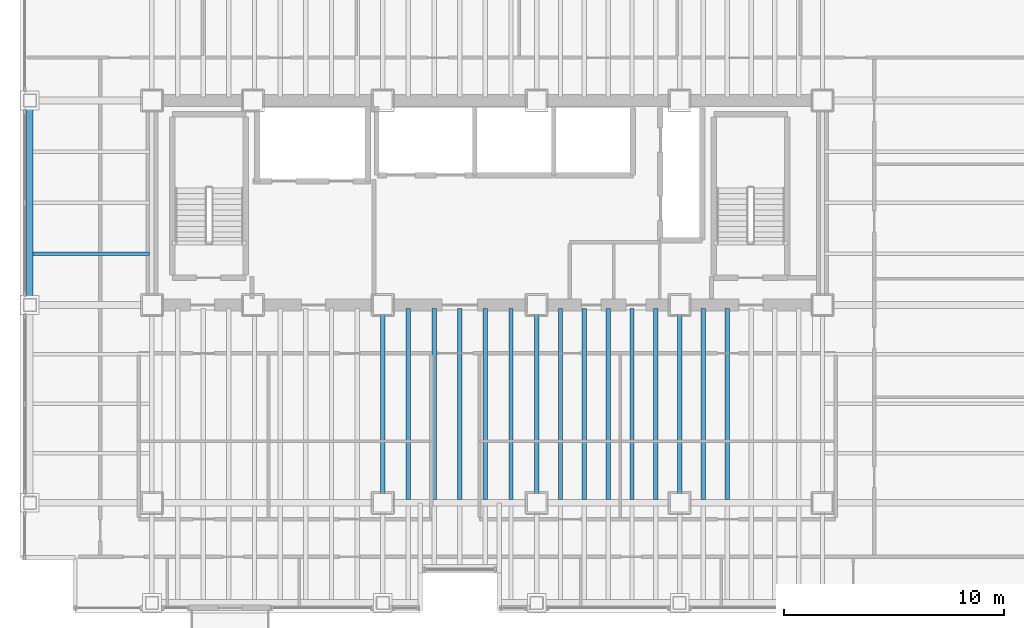
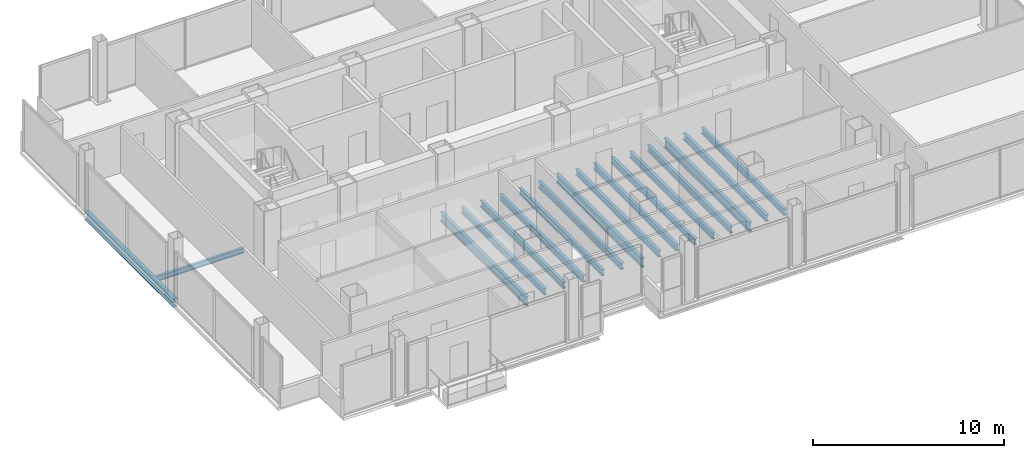
# One storey, part 5 of 20: 17 beams.
"""IFC4 building model written with IfcOpenShell, lengths in metres."""

import ifcopenshell
import ifcopenshell.guid

model = None  # the IFC model being written
_history = None  # IfcOwnerHistory: only IFC2X3 demands one
_inside = {}  # id of a spatial element -> (the spatial element, [elements in it])
_under = {}  # id of a project, library or spatial element -> (it, [spatial elements below it])
_declared = {}  # id of a project -> (the project, [libraries it declares])
_typed = {}  # id of a type object -> (the type object, [elements of that type])
_made_of = {}  # id of a material, layer set ... -> (it, [elements and type objects made of it])


def new_model(schema):
    """Start an empty IFC model of exactly this schema.

    Asked for "IFC4X3", IfcOpenShell would pick the latest addendum, in which some entities
    have other attributes; the version numbers below select the first issue.
    IFC2X3 requires an IfcOwnerHistory on every rooted entity: one is made here for all.
    """
    global model, _history
    if schema == "IFC4X3":
        model = ifcopenshell.file(schema_version=(4, 3, 0, 0))
    else:
        model = ifcopenshell.file(schema=schema)
    _inside.clear()
    _under.clear()
    _declared.clear()
    _typed.clear()
    _made_of.clear()
    _history = None
    if model.schema == "IFC2X3":
        org = make("IfcOrganization", Name="unknown")
        user = make(
            "IfcPersonAndOrganization",
            ThePerson=make("IfcPerson", FamilyName="unknown"),
            TheOrganization=org,
        )
        app = make(
            "IfcApplication",
            ApplicationDeveloper=org,
            Version="unknown",
            ApplicationFullName="unknown",
            ApplicationIdentifier="unknown",
        )
        _history = make(
            "IfcOwnerHistory",
            OwningUser=user,
            OwningApplication=app,
            ChangeAction="ADDED",
            CreationDate=0,
        )
    return model


def make(cls, **values):
    """One entity of the class cls with the attributes given. An attribute that is None is left unset."""
    return model.create_entity(
        cls, **{name: value for name, value in values.items() if value is not None}
    )


def rooted(cls, **values):
    """An entity with a GlobalId (a new one), such as an element, a storey or a relation."""
    return make(cls, GlobalId=ifcopenshell.guid.new(), OwnerHistory=_history, **values)


def si_unit(unit_type, name, prefix=None):
    """IfcSIUnit, for example si_unit("LENGTHUNIT", "METRE", prefix="MILLI")."""
    return make("IfcSIUnit", UnitType=unit_type, Prefix=prefix, Name=name)


def assignment(units):
    """IfcUnitAssignment: the units of a project."""
    return None if units is None else make("IfcUnitAssignment", Units=units)


def point(xyz):
    """IfcCartesianPoint."""
    return None if xyz is None else make("IfcCartesianPoint", Coordinates=xyz)


def direction(xyz):
    """IfcDirection."""
    return None if xyz is None else make("IfcDirection", DirectionRatios=xyz)


def frame(location, z_axis=None, x_axis=None):
    """IfcAxis2Placement3D, a coordinate frame: its origin and axes. An axis left out is left unset."""
    return make(
        "IfcAxis2Placement3D",
        Location=point(location),
        Axis=direction(z_axis),
        RefDirection=direction(x_axis),
    )


def frame_2d(location, x_axis=None):
    """IfcAxis2Placement2D, a coordinate frame in the plane: its origin and x axis."""
    return make(
        "IfcAxis2Placement2D", Location=point(location), RefDirection=direction(x_axis)
    )


def origin():
    """The frame at (0, 0, 0) with its axes left unset."""
    return frame((0.0, 0.0, 0.0))


def origin_2d():
    """The frame at (0, 0) in the plane with its x axis left unset."""
    return frame_2d((0.0, 0.0))


def place(relative_to, where):
    """IfcLocalPlacement: puts the frame where relative to a parent placement (None: the world)."""
    return make(
        "IfcLocalPlacement", PlacementRelTo=relative_to, RelativePlacement=where
    )


def context(
    kind, dimensions, precision=None, world=None, true_north=None, identifier=None
):
    """IfcGeometricRepresentationContext, for example the 3D "Model" context."""
    return make(
        "IfcGeometricRepresentationContext",
        ContextIdentifier=identifier,
        ContextType=kind,
        CoordinateSpaceDimension=dimensions,
        Precision=precision,
        WorldCoordinateSystem=world,
        TrueNorth=true_north,
    )


def subcontext(parent, identifier, kind, view, scale=None):
    """IfcGeometricRepresentationSubContext, for example "Body" below "Model"."""
    return make(
        "IfcGeometricRepresentationSubContext",
        ContextIdentifier=identifier,
        ContextType=kind,
        ParentContext=parent,
        TargetScale=scale,
        TargetView=view,
    )


def project(units=None, contexts=None):
    """IfcProject with its units and contexts."""
    return rooted(
        "IfcProject",
        Name="project",
        RepresentationContexts=contexts,
        UnitsInContext=assignment(units),
    )


def spatial(cls, under=None, at=None, **own):
    """A site, building, storey or space (cls), placed at a placement, below another one or the project."""
    s = rooted(cls, ObjectPlacement=at, **own)
    if under is not None:
        _under.setdefault(under.id(), (under, []))[1].append(s)
    return s


def profile(cls, at=None, kind="AREA", **sizes):
    """A parametric profile (cls). Its sizes go by their IFC names, for example OverallWidth=200.0."""
    return make(cls, ProfileType=kind, Position=at, **sizes)


def i_section(**sizes):
    """IfcIShapeProfileDef."""
    return profile("IfcIShapeProfileDef", **sizes)


def extrude(swept, where, along, depth):
    """IfcExtrudedAreaSolid: the profile swept, set in the frame where, extruded along a direction by depth."""
    return make(
        "IfcExtrudedAreaSolid",
        SweptArea=swept,
        Position=where,
        ExtrudedDirection=direction(along),
        Depth=depth,
    )


def shape(context_of_items, identifier, shape_type, items):
    """IfcShapeRepresentation: the items that make up one representation, for example the "Body"."""
    return make(
        "IfcShapeRepresentation",
        ContextOfItems=context_of_items,
        RepresentationIdentifier=identifier,
        RepresentationType=shape_type,
        Items=items,
    )


def material(Name=None, Category=None):
    """IfcMaterial."""
    return make("IfcMaterial", Name=Name, Category=Category)


def material_profile(
    of_material, cross_section, Name=None, Category=None, Priority=None
):
    """IfcMaterialProfile: a cross section and its material."""
    return make(
        "IfcMaterialProfile",
        Name=Name,
        Material=of_material,
        Profile=cross_section,
        Priority=Priority,
        Category=Category,
    )


def profile_set(profiles, Name=None, composite=None):
    """IfcMaterialProfileSet."""
    return make(
        "IfcMaterialProfileSet",
        Name=Name,
        MaterialProfiles=profiles,
        CompositeProfile=composite,
    )


def made_of(thing, what):
    """Note that an element or type object is made of a material, layer set ...; save() writes the relation."""
    if what is not None:
        _made_of.setdefault(what.id(), (what, []))[1].append(thing)
    return thing


def type_object(cls, material=None, **own):
    """A type object (cls), such as IfcWallType, which elements share."""
    return made_of(rooted(cls, **own), material)


def element(
    cls,
    number,
    at=None,
    inside=None,
    cuts=None,
    type_object=None,
    material=None,
    context=None,
    identifier="Body",
    shape_type=None,
    held_by="IfcProductDefinitionShape",
    body=None,
    shapes=None,
    **own,
):
    """One element of the class cls, such as IfcWall. Its Tag is "e" and its number.

    at: its placement. inside: the storey or other place that contains it. cuts: it is an
    opening in that element (IfcRelVoidsElement). A single representation is given by context,
    identifier, shape_type and body (its items); several are given by shapes. held_by: the class
    of the entity that holds the representations. save() writes the other relations.
    """
    e = rooted(cls, Tag="e%d" % number, ObjectPlacement=at, **own)
    if body is not None:
        shapes = [shape(context, identifier, shape_type, body)]
    if shapes is not None:
        e.Representation = make(held_by, Representations=shapes)
    if inside is not None:
        _inside.setdefault(inside.id(), (inside, []))[1].append(e)
    if cuts is not None:
        rooted(
            "IfcRelVoidsElement", RelatingBuildingElement=cuts, RelatedOpeningElement=e
        )
    if type_object is not None:
        _typed.setdefault(type_object.id(), (type_object, []))[1].append(e)
    return made_of(e, material)


def aggregate(whole, parts):
    """IfcRelAggregates: a whole, such as a stair, and the parts it consists of."""
    return rooted("IfcRelAggregates", RelatingObject=whole, RelatedObjects=parts)


def save(model, path):
    """Write the relations noted so far, then the file.

    IfcRelAggregates (storeys below a building ...), IfcRelContainedInSpatialStructure (elements
    in a storey), IfcRelDefinesByType, IfcRelAssociatesMaterial and IfcRelDeclares: one each for
    every whole, place, type object, material and project.
    """
    for whole, parts in _under.values():
        aggregate(whole, parts)
    for where, things in _inside.values():
        rooted(
            "IfcRelContainedInSpatialStructure",
            RelatedElements=things,
            RelatingStructure=where,
        )
    for kind, things in _typed.values():
        rooted("IfcRelDefinesByType", RelatedObjects=things, RelatingType=kind)
    for what, things in _made_of.values():
        rooted("IfcRelAssociatesMaterial", RelatedObjects=things, RelatingMaterial=what)
    for by, libraries in _declared.values():
        rooted("IfcRelDeclares", RelatingContext=by, RelatedDefinitions=libraries)
    model.write(path)


model = new_model("IFC4")

# Units and contexts
model_context = context("Model", 3, precision=1e-05, world=origin(), true_north=direction((0.0, 1.0)))
body_context = subcontext(model_context, "Body", "Model", "MODEL_VIEW")
ifc_project = project(units=[si_unit("LENGTHUNIT", "METRE"), si_unit("AREAUNIT", "SQUARE_METRE"), si_unit("VOLUMEUNIT", "CUBIC_METRE"), si_unit("PLANEANGLEUNIT", "RADIAN"), si_unit("MASSUNIT", "GRAM", prefix="KILO")], contexts=[model_context])

# Site, building, storey
site_placement = place(None, origin())
site = spatial("IfcSite", under=ifc_project, at=site_placement, CompositionType="ELEMENT")
building_placement = place(site_placement, origin())
building = spatial("IfcBuilding", under=site, at=building_placement, Name="Noeulbin Bourse Tower", CompositionType="ELEMENT")
storey_placement = place(building_placement, frame((0.0, 0.0, 65.5)))
storey = spatial("IfcBuildingStorey", under=building, at=storey_placement, Name="L16", CompositionType="ELEMENT", Elevation=65.5)

# Beams
ifc_material = material(Name="Steel S355", Category="steel")
ifc_material_profile_1 = material_profile(ifc_material, i_section(OverallWidth=0.199951171875, OverallDepth=0.60009765625, WebThickness=0.010986328125, FlangeThickness=0.01708984375, FilletRadius=0.02197265625, at=origin_2d()), Name="H-600x200x11x17", Category="LoadBearing")
ifc_profile_set_1 = profile_set([ifc_material_profile_1], Name="Steel S355")
beam_type_1 = type_object("IfcBeamType", Name="BM-GRD-600", PredefinedType="USERDEFINED", material=ifc_profile_set_1)
for number, where, z_axis, x_axis, name in (
    (1, (24.0, 20.0, -0.47998046875), (0.0, 1.0, 0.0), (-1.0, 0.0, 0.0), "Tower Primary Girder NS L16-2.2"),
    (2, (31.0, 20.0, -0.47998046875), (0.0, 1.0, 0.0), (-1.0, 0.0, 0.0), "Tower Primary Girder NS L16-3.2"),
    (3, (37.5, 20.0, -0.47998046875), (0.0, 1.0, 0.0), (-1.0, 0.0, 0.0), "Tower Primary Girder NS L16-4.2"),
):
    element("IfcBeam", number, at=place(storey_placement, frame(where, z_axis=z_axis, x_axis=x_axis)), inside=storey, type_object=beam_type_1, Name=name, ObjectType="GIRDER", PredefinedType="USERDEFINED", context=body_context, shape_type="SweptSolid", body=[
        extrude(i_section(OverallWidth=0.199951171875, OverallDepth=0.60009765625, WebThickness=0.010986328125, FlangeThickness=0.01708984375, FilletRadius=0.02197265625, at=origin_2d()), origin(), (0.0, 0.0, 1.0), 9.0),
    ])
ifc_material_profile_2 = material_profile(ifc_material, i_section(OverallWidth=0.159912109375, OverallDepth=0.320068359375, WebThickness=0.006591796875, FlangeThickness=0.010009765625, FilletRadius=0.012939453125, at=origin_2d()), Name="H-320x160x6.5x10", Category="LoadBearing")
ifc_profile_set_2 = profile_set([ifc_material_profile_2], Name="Steel S355")
beam_type_2 = type_object("IfcBeamType", Name="BM-JST-320", PredefinedType="JOIST", material=ifc_profile_set_2)
beam_1_placement = place(storey_placement, frame((8.10009765625, 31.324951171875, -0.340087890625), z_axis=(1.0, 0.0, 0.0), x_axis=(0.0, 1.0, 0.0)))
element("IfcBeam", 4, at=beam_1_placement, inside=storey, type_object=beam_type_2, Name="Wing Composite Joist L16-W73", PredefinedType="JOIST", context=body_context, shape_type="SweptSolid", body=[
    extrude(i_section(OverallWidth=0.159912109375, OverallDepth=0.320068359375, WebThickness=0.006591796875, FlangeThickness=0.010009765625, FilletRadius=0.012939453125, at=origin_2d()), origin(), (0.0, 0.0, 1.0), 5.2998046875),
])
ifc_material_profile_3 = material_profile(ifc_material, i_section(OverallWidth=0.199951171875, OverallDepth=0.39990234375, WebThickness=0.008056640625, FlangeThickness=0.012939453125, FilletRadius=0.01611328125, at=origin_2d()), Name="H-400x200x8x13", Category="LoadBearing")
ifc_profile_set_3 = profile_set([ifc_material_profile_3], Name="Steel S355")
beam_type_3 = type_object("IfcBeamType", Name="BM-SEC-400", PredefinedType="BEAM", material=ifc_profile_set_3)
for number, where, z_axis, x_axis, name in (
    (5, (25.166748046875, 20.14990234375, -0.3798828125), (0.0, 1.0, 0.0), (-1.0, 0.0, 0.0), "Tower Composite Joist L16-26"),
    (6, (26.333251953125, 20.14990234375, -0.3798828125), (0.0, 1.0, 0.0), (-1.0, 0.0, 0.0), "Tower Composite Joist L16-29"),
    (7, (27.5, 20.14990234375, -0.3798828125), (0.0, 1.0, 0.0), (-1.0, 0.0, 0.0), "Tower Composite Joist L16-32"),
    (8, (28.666748046875, 20.14990234375, -0.3798828125), (0.0, 1.0, 0.0), (-1.0, 0.0, 0.0), "Tower Composite Joist L16-35"),
    (9, (29.833251953125, 20.14990234375, -0.3798828125), (0.0, 1.0, 0.0), (-1.0, 0.0, 0.0), "Tower Composite Joist L16-38"),
    (10, (32.083251953125, 20.14990234375, -0.3798828125), (0.0, 1.0, 0.0), (-1.0, 0.0, 0.0), "Tower Composite Joist L16-41"),
    (11, (33.166748046875, 20.14990234375, -0.3798828125), (0.0, 1.0, 0.0), (-1.0, 0.0, 0.0), "Tower Composite Joist L16-44"),
    (12, (34.25, 20.14990234375, -0.3798828125), (0.0, 1.0, 0.0), (-1.0, 0.0, 0.0), "Tower Composite Joist L16-47"),
    (13, (35.333251953125, 20.14990234375, -0.3798828125), (0.0, 1.0, 0.0), (-1.0, 0.0, 0.0), "Tower Composite Joist L16-50"),
    (14, (36.416748046875, 20.14990234375, -0.3798828125), (0.0, 1.0, 0.0), (-1.0, 0.0, 0.0), "Tower Composite Joist L16-53"),
    (15, (38.583251953125, 20.14990234375, -0.3798828125), (0.0, 1.0, 0.0), (-1.0, 0.0, 0.0), "Tower Composite Joist L16-56"),
    (16, (39.666748046875, 20.14990234375, -0.3798828125), (0.0, 1.0, 0.0), (-1.0, 0.0, 0.0), "Tower Composite Joist L16-59"),
):
    element("IfcBeam", number, at=place(storey_placement, frame(where, z_axis=z_axis, x_axis=x_axis)), inside=storey, type_object=beam_type_3, Name=name, PredefinedType="BEAM", context=body_context, shape_type="SweptSolid", body=[
        extrude(i_section(OverallWidth=0.199951171875, OverallDepth=0.39990234375, WebThickness=0.008056640625, FlangeThickness=0.012939453125, FilletRadius=0.01611328125, at=origin_2d()), origin(), (0.0, 0.0, 1.0), 8.7001953125),
    ])
ifc_material_profile_4 = material_profile(ifc_material, i_section(OverallWidth=0.300048828125, OverallDepth=0.488037109375, WebThickness=0.010986328125, FlangeThickness=0.01806640625, FilletRadius=0.02197265625, at=origin_2d()), Name="H-488x300x11x18", Category="LoadBearing")
ifc_profile_set_4 = profile_set([ifc_material_profile_4], Name="Steel S355")
beam_type_4 = type_object("IfcBeamType", Name="BM-SPN-488", PredefinedType="SPANDREL", material=ifc_profile_set_4)
beam_2_placement = place(storey_placement, frame((7.949951171875, 29.0, -0.424072265625), z_axis=(0.0, 1.0, 0.0), x_axis=(-1.0, 0.0, 0.0)))
element("IfcBeam", 17, at=beam_2_placement, inside=storey, type_object=beam_type_4, Name="West Spandrel L16-2", PredefinedType="SPANDREL", context=body_context, shape_type="SweptSolid", body=[
    extrude(i_section(OverallWidth=0.300048828125, OverallDepth=0.488037109375, WebThickness=0.010986328125, FlangeThickness=0.01806640625, FilletRadius=0.02197265625, at=origin_2d()), origin(), (0.0, 0.0, 1.0), 9.300048828125),
])

save(model, "model.ifc")
